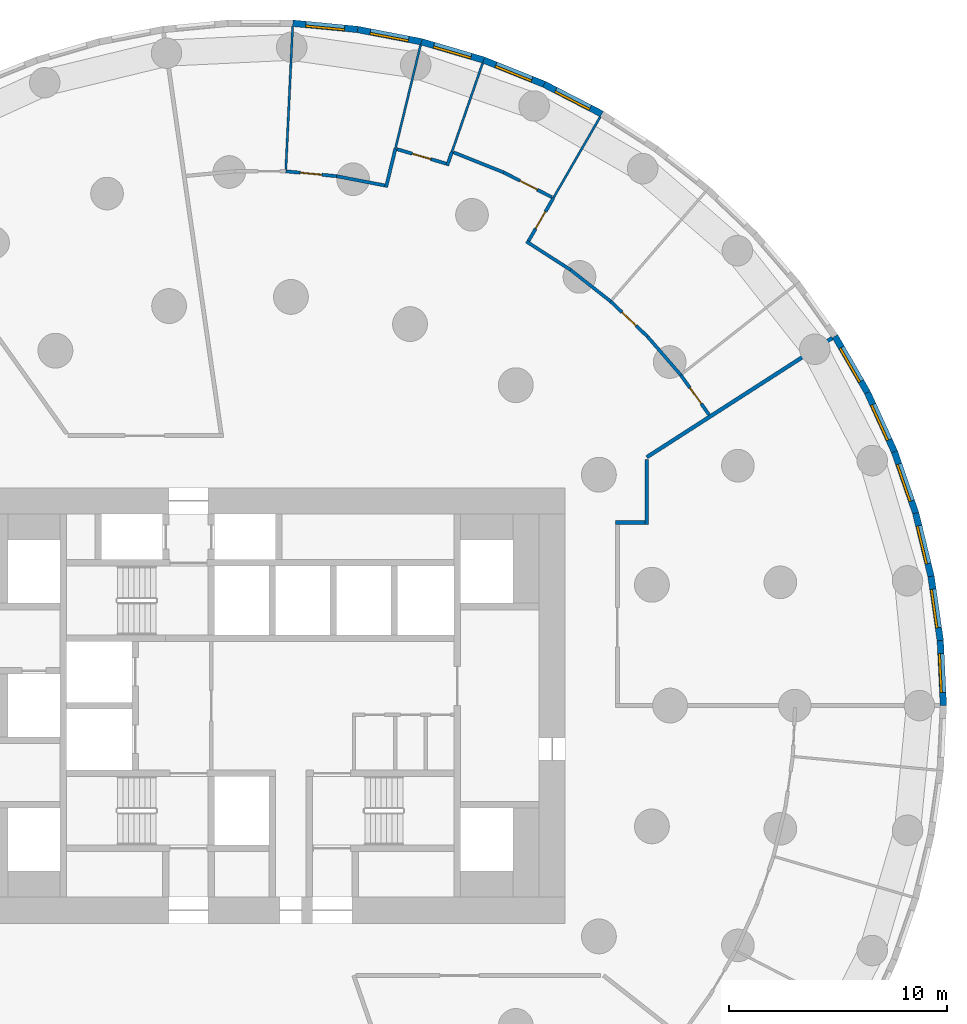
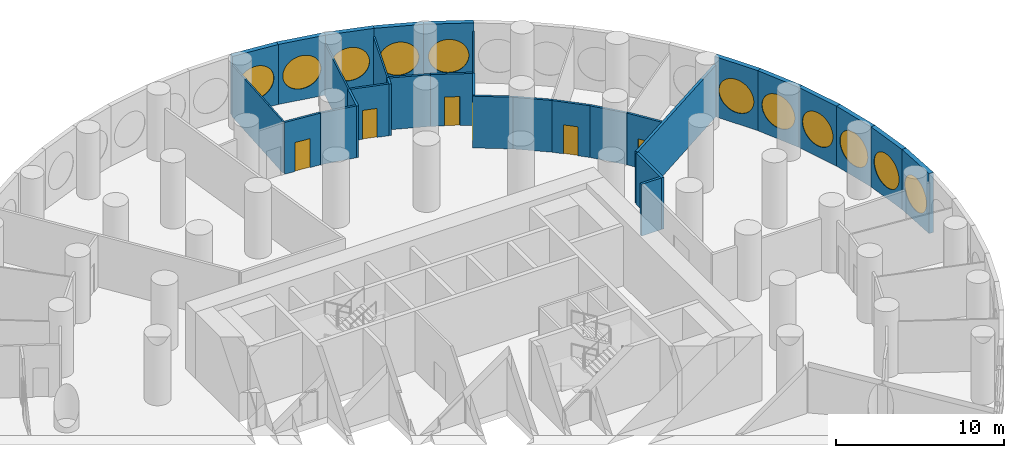
# One storey, part 8 of 11: 31 walls, 11 windows, 6 doors, 17 openings.
"""IFC4 building model written with IfcOpenShell, lengths in metres."""

from ifc_helpers import new_model, si_unit, direction, frame, frame_2d, origin, origin_2d, place, context, subcontext, project, spatial, rectangle, circle, extrude, material, layer, layer_set, type_object, element, fill, save


model = new_model("IFC4")

# Units and contexts
model_context = context("Model", 3, precision=1e-05, world=origin(), true_north=direction((0.0, 1.0)))
body_context = subcontext(model_context, "Body", "Model", "MODEL_VIEW")
ifc_project = project(units=[si_unit("LENGTHUNIT", "METRE"), si_unit("AREAUNIT", "SQUARE_METRE"), si_unit("VOLUMEUNIT", "CUBIC_METRE"), si_unit("PLANEANGLEUNIT", "RADIAN"), si_unit("MASSUNIT", "GRAM", prefix="KILO")], contexts=[model_context])

# Site, building, storey
site_placement = place(None, origin())
site = spatial("IfcSite", under=ifc_project, at=site_placement, CompositionType="ELEMENT")
building_placement = place(site_placement, origin())
building = spatial("IfcBuilding", under=site, at=building_placement, Name="Tracery Tower", CompositionType="ELEMENT")
storey_placement = place(building_placement, frame((0.0, 0.0, 9.0)))
storey = spatial("IfcBuildingStorey", under=building, at=storey_placement, Name="L01", CompositionType="ELEMENT", Elevation=9.0)

# Walls
ifc_material_1 = material(Name="Plasterboard on steel studs", Category="steel")
ifc_layer_1 = layer(ifc_material_1, 0.175048828125)
ifc_layer_set_1 = layer_set([ifc_layer_1], Name="Compartment partition 175")
wall_type_1 = type_object("IfcWallType", Name="Compartment partition 175", PredefinedType="PARTITIONING", material=ifc_layer_set_1)
wall_1_placement = place(storey_placement, frame((16.3125, 8.40283203125, 0.0), z_axis=(0.0, 0.0, 1.0), x_axis=(1.0, 0.0, 0.0)))
element("IfcWall", 1, at=wall_1_placement, inside=storey, type_object=wall_type_1, Name="Compartment partition 175", PredefinedType="PARTITIONING", context=body_context, shape_type="SweptSolid", body=[
    extrude(rectangle(XDim=1.3515625, YDim=0.175048828125, at=frame_2d((0.67578125, 0.0))), origin(), (0.0, 0.0, 1.0), 3.75),
])
wall_2_placement = place(storey_placement, frame((17.751708984375, 8.3154296875, 0.0), z_axis=(0.0, 0.0, 1.0), x_axis=(0.0, 1.0, 0.0)))
element("IfcWall", 2, at=wall_2_placement, inside=storey, type_object=wall_type_1, Name="Compartment partition 175", PredefinedType="PARTITIONING", context=body_context, shape_type="SweptSolid", body=[
    extrude(rectangle(XDim=2.98876953125, YDim=0.175048828125, at=frame_2d((1.494384765625, 0.0))), origin(), (0.0, 0.0, 1.0), 3.75),
])
wall_3_placement = place(storey_placement, frame((26.267578125, 16.881103515625, 0.0), z_axis=(0.0, 0.0, 1.0), x_axis=(-0.841249776377, -0.540646662568, 0.0)))
element("IfcWall", 3, at=wall_3_placement, inside=storey, type_object=wall_type_1, Name="Compartment partition 175", PredefinedType="PARTITIONING", context=body_context, shape_type="SweptSolid", body=[
    extrude(rectangle(XDim=10.122802734375, YDim=0.175048828125, at=frame_2d((5.0615234375, 0.0))), origin(), (0.0, 0.0, 1.0), 3.75),
])

# Wall, opening, door
ifc_material_2 = material(Name="Plasterboard on steel studs", Category="steel")
ifc_layer_2 = layer(ifc_material_2, 0.14990234375)
ifc_layer_set_2 = layer_set([ifc_layer_2], Name="Corridor partition 150")
wall_type_2 = type_object("IfcWallType", Name="Corridor partition 150", PredefinedType="PARTITIONING", material=ifc_layer_set_2)
wall_4_placement = place(storey_placement, frame((1.1689453125, 24.538818359375, 0.0), z_axis=(0.0, 0.0, 1.0), x_axis=(0.995473855736, -0.095035796131, 0.0)))
wall_4 = element("IfcWall", 4, at=wall_4_placement, inside=storey, type_object=wall_type_2, Name="Corridor partition 150", PredefinedType="PARTITIONING", context=body_context, shape_type="SweptSolid", body=[
    extrude(rectangle(XDim=2.337646484375, YDim=0.14990234375, at=frame_2d((1.1689453125, 0.0))), origin(), (0.0, 0.0, 1.0), 3.75),
])
opening_1_placement = place(wall_4_placement, frame((0.6689453125, 0.0, 0.0)))
opening_1 = element("IfcOpeningElement", 5, at=opening_1_placement, cuts=wall_4, Name="Opening SB-L01-07", PredefinedType="OPENING", context=body_context, shape_type="SweptSolid", body=[
    extrude(rectangle(XDim=1.0, YDim=2.10009765625, at=frame_2d((0.5, 1.050048828125))), frame((0.0, 0.074951171875, 0.0), z_axis=(0.0, -1.0, 0.0), x_axis=(1.0, 0.0, 0.0)), (0.0, 0.0, 1.0), 0.14990234375),
])
ifc_material_3 = material(Name="Timber door leaf", Category="wood")
door_type_1 = type_object("IfcDoorType", Name="Public room door 1000", OperationType="NOTDEFINED", PredefinedType="DOOR", material=ifc_material_3)
door_1_placement = place(opening_1_placement, origin())
door_1 = element("IfcDoor", 6, at=door_1_placement, inside=storey, type_object=door_type_1, Name="Public room door 1000", OperationType="SINGLE_SWING_RIGHT", OverallHeight=2.10009765625, OverallWidth=1.0, PredefinedType="DOOR", context=body_context, shape_type="SweptSolid", body=[
    extrude(rectangle(XDim=1.0, YDim=2.10009765625, at=frame_2d((0.5, 1.050048828125))), frame((0.0, 0.02490234375, 0.0), z_axis=(0.0, -1.0, 0.0), x_axis=(1.0, 0.0, 0.0)), (0.0, 0.0, 1.0), 0.050048828125),
])
fill(opening_1, door_1)

# Walls
wall_5_placement = place(storey_placement, frame((5.71826171875, 23.888427734375, 0.0), z_axis=(0.0, 0.0, 1.0), x_axis=(-0.981934043808, 0.18922350174, 0.0)))
element("IfcWall", 7, at=wall_5_placement, inside=storey, type_object=wall_type_2, Name="Corridor partition 150", PredefinedType="PARTITIONING", context=body_context, shape_type="SweptSolid", body=[
    extrude(rectangle(XDim=2.262939453125, YDim=0.14990234375, at=frame_2d((1.13134765625, 0.0))), origin(), (0.0, 0.0, 1.0), 3.75),
])
wall_6_placement = place(storey_placement, frame((6.204833984375, 25.576904296875, 0.0), z_axis=(0.0, 0.0, 1.0), x_axis=(-0.235707106262, -0.9718241405, 0.0)))
element("IfcWall", 8, at=wall_6_placement, inside=storey, type_object=wall_type_2, Name="Corridor partition 150", PredefinedType="PARTITIONING", context=body_context, shape_type="SweptSolid", body=[
    extrude(rectangle(XDim=1.8271484375, YDim=0.14990234375, at=frame_2d((0.91357421875, 0.0))), origin(), (0.0, 0.0, 1.0), 3.75),
])

# Wall, opening, door
wall_7_placement = place(storey_placement, frame((6.27685546875, 25.5556640625, 0.0), z_axis=(0.0, 0.0, 1.0), x_axis=(0.959490897596, -0.281739627015, 0.0)))
wall_7 = element("IfcWall", 9, at=wall_7_placement, inside=storey, type_object=wall_type_2, Name="Corridor partition 150", PredefinedType="PARTITIONING", context=body_context, shape_type="SweptSolid", body=[
    extrude(rectangle(XDim=2.3544921875, YDim=0.14990234375, at=frame_2d((1.17724609375, 0.0))), origin(), (0.0, 0.0, 1.0), 3.75),
])
opening_2_placement = place(wall_7_placement, frame((0.727294921875, 0.0, 0.0)))
opening_2 = element("IfcOpeningElement", 10, at=opening_2_placement, cuts=wall_7, Name="Opening SB-L01-06", PredefinedType="OPENING", context=body_context, shape_type="SweptSolid", body=[
    extrude(rectangle(XDim=0.89990234375, YDim=2.10009765625, at=frame_2d((0.449951171875, 1.050048828125))), frame((0.0, 0.074951171875, 0.0), z_axis=(0.0, -1.0, 0.0), x_axis=(1.0, 0.0, 0.0)), (0.0, 0.0, 1.0), 0.14990234375),
])
ifc_material_4 = material(Name="Steel fire door", Category="steel")
door_type_2 = type_object("IfcDoorType", Name="Store door 900", OperationType="NOTDEFINED", PredefinedType="DOOR", material=ifc_material_4)
door_2_placement = place(opening_2_placement, origin())
door_2 = element("IfcDoor", 11, at=door_2_placement, inside=storey, type_object=door_type_2, Name="Store door 900", OperationType="SINGLE_SWING_RIGHT", OverallHeight=2.10009765625, OverallWidth=0.89990234375, PredefinedType="DOOR", context=body_context, shape_type="SweptSolid", body=[
    extrude(rectangle(XDim=0.89990234375, YDim=2.10009765625, at=frame_2d((0.449951171875, 1.050048828125))), frame((0.0, 0.02490234375, 0.0), z_axis=(0.0, -1.0, 0.0), x_axis=(1.0, 0.0, 0.0)), (0.0, 0.0, 1.0), 0.050048828125),
])
fill(opening_2, door_2)

# Walls
wall_8_placement = place(storey_placement, frame((8.804443359375, 25.438720703125, 0.0), z_axis=(0.0, 0.0, 1.0), x_axis=(-0.327048503279, -0.945007553675, 0.0)))
element("IfcWall", 12, at=wall_8_placement, inside=storey, type_object=wall_type_2, Name="Corridor partition 150", PredefinedType="PARTITIONING", context=body_context, shape_type="SweptSolid", body=[
    extrude(rectangle(XDim=0.675537109375, YDim=0.14990234375, at=frame_2d((0.337890625, 0.0))), origin(), (0.0, 0.0, 1.0), 3.75),
])
wall_9_placement = place(storey_placement, frame((11.1826171875, 24.48681640625, 0.0), z_axis=(0.0, 0.0, 1.0), x_axis=(-0.928375081541, 0.371644599009, 0.0)))
element("IfcWall", 13, at=wall_9_placement, inside=storey, type_object=wall_type_2, Name="Corridor partition 150", PredefinedType="PARTITIONING", context=body_context, shape_type="SweptSolid", body=[
    extrude(rectangle(XDim=2.486328125, YDim=0.14990234375, at=frame_2d((1.2431640625, 0.0))), origin(), (0.0, 0.0, 1.0), 3.75),
])

# Wall, opening, door
wall_10_placement = place(storey_placement, frame((11.1826171875, 24.48681640625, 0.0), z_axis=(0.0, 0.0, 1.0), x_axis=(0.888861893738, -0.458175221789, 0.0)))
wall_10 = element("IfcWall", 14, at=wall_10_placement, inside=storey, type_object=wall_type_2, Name="Corridor partition 150", PredefinedType="PARTITIONING", context=body_context, shape_type="SweptSolid", body=[
    extrude(rectangle(XDim=2.48681640625, YDim=0.14990234375, at=frame_2d((1.243408203125, 0.0))), origin(), (0.0, 0.0, 1.0), 3.75),
])
opening_3_placement = place(wall_10_placement, frame((0.830810546875, 0.0, 0.0)))
opening_3 = element("IfcOpeningElement", 15, at=opening_3_placement, cuts=wall_10, Name="Opening SB-L01-05", PredefinedType="OPENING", context=body_context, shape_type="SweptSolid", body=[
    extrude(rectangle(XDim=0.89990234375, YDim=2.10009765625, at=frame_2d((0.449951171875, 1.050048828125))), frame((0.0, 0.074951171875, 0.0), z_axis=(0.0, -1.0, 0.0), x_axis=(1.0, 0.0, 0.0)), (0.0, 0.0, 1.0), 0.14990234375),
])
ifc_material_5 = material(Name="Timber door leaf", Category="wood")
door_type_3 = type_object("IfcDoorType", Name="Room door 900", OperationType="NOTDEFINED", PredefinedType="DOOR", material=ifc_material_5)
door_3_placement = place(opening_3_placement, origin())
door_3 = element("IfcDoor", 16, at=door_3_placement, inside=storey, type_object=door_type_3, Name="Room door 900", OperationType="SINGLE_SWING_RIGHT", OverallHeight=2.10009765625, OverallWidth=0.89990234375, PredefinedType="DOOR", context=body_context, shape_type="SweptSolid", body=[
    extrude(rectangle(XDim=0.89990234375, YDim=2.10009765625, at=frame_2d((0.449951171875, 1.050048828125))), frame((0.0, 0.02490234375, 0.0), z_axis=(0.0, -1.0, 0.0), x_axis=(1.0, 0.0, 0.0)), (0.0, 0.0, 1.0), 0.050048828125),
])
fill(opening_3, door_3)

wall_11_placement = place(storey_placement, frame((13.459716796875, 23.31298828125, 0.0), z_axis=(0.0, 0.0, 1.0), x_axis=(-0.500000789788, -0.8660249478, 0.0)))
wall_11 = element("IfcWall", 17, at=wall_11_placement, inside=storey, type_object=wall_type_2, Name="Corridor partition 150", PredefinedType="PARTITIONING", context=body_context, shape_type="SweptSolid", body=[
    extrude(rectangle(XDim=2.27783203125, YDim=0.14990234375, at=frame_2d((1.138916015625, 0.0))), origin(), (0.0, 0.0, 1.0), 3.75),
])
opening_4_placement = place(wall_11_placement, frame((0.726318359375, 0.0, 0.0)))
opening_4 = element("IfcOpeningElement", 18, at=opening_4_placement, cuts=wall_11, Name="Opening SB-L01-04", PredefinedType="OPENING", context=body_context, shape_type="SweptSolid", body=[
    extrude(rectangle(XDim=0.89990234375, YDim=2.10009765625, at=frame_2d((0.449951171875, 1.050048828125))), frame((0.0, 0.074951171875, 0.0), z_axis=(0.0, -1.0, 0.0), x_axis=(1.0, 0.0, 0.0)), (0.0, 0.0, 1.0), 0.14990234375),
])
door_4_placement = place(opening_4_placement, origin())
door_4 = element("IfcDoor", 19, at=door_4_placement, inside=storey, type_object=door_type_3, Name="Room door 900", OperationType="SINGLE_SWING_LEFT", OverallHeight=2.10009765625, OverallWidth=0.89990234375, PredefinedType="DOOR", context=body_context, shape_type="SweptSolid", body=[
    extrude(rectangle(XDim=0.89990234375, YDim=2.10009765625, at=frame_2d((0.449951171875, 1.050048828125))), frame((0.0, 0.02490234375, 0.0), z_axis=(0.0, -1.0, 0.0), x_axis=(1.0, 0.0, 0.0)), (0.0, 0.0, 1.0), 0.050048828125),
])
fill(opening_4, door_4)

# Walls
wall_12_placement = place(storey_placement, frame((14.25, 20.011474609375, 0.0), z_axis=(0.0, 0.0, 1.0), x_axis=(-0.8412573693, 0.540634847747, 0.0)))
element("IfcWall", 20, at=wall_12_placement, inside=storey, type_object=wall_type_2, Name="Corridor partition 150", PredefinedType="PARTITIONING", context=body_context, shape_type="SweptSolid", body=[
    extrude(rectangle(XDim=2.412841796875, YDim=0.14990234375, at=frame_2d((1.20654296875, 0.0))), origin(), (0.0, 0.0, 1.0), 3.75),
])
wall_13_placement = place(storey_placement, frame((16.087890625, 18.56640625, 0.0), z_axis=(0.0, 0.0, 1.0), x_axis=(-0.786108126536, 0.618089001191, 0.0)))
element("IfcWall", 21, at=wall_13_placement, inside=storey, type_object=wall_type_2, Name="Corridor partition 150", PredefinedType="PARTITIONING", context=body_context, shape_type="SweptSolid", body=[
    extrude(rectangle(XDim=2.337890625, YDim=0.14990234375, at=frame_2d((1.1689453125, 0.0))), origin(), (0.0, 0.0, 1.0), 3.75),
])

# Wall, opening, door
wall_14_placement = place(storey_placement, frame((16.087890625, 18.56640625, 0.0), z_axis=(0.0, 0.0, 1.0), x_axis=(0.723668407542, -0.690147836283, 0.0)))
wall_14 = element("IfcWall", 22, at=wall_14_placement, inside=storey, type_object=wall_type_2, Name="Corridor partition 150", PredefinedType="PARTITIONING", context=body_context, shape_type="SweptSolid", body=[
    extrude(rectangle(XDim=2.337890625, YDim=0.14990234375, at=frame_2d((1.1689453125, 0.0))), origin(), (0.0, 0.0, 1.0), 3.75),
])
opening_5_placement = place(wall_14_placement, frame((0.718994140625, 0.0, 0.0)))
opening_5 = element("IfcOpeningElement", 23, at=opening_5_placement, cuts=wall_14, Name="Opening SB-L01-03", PredefinedType="OPENING", context=body_context, shape_type="SweptSolid", body=[
    extrude(rectangle(XDim=0.89990234375, YDim=2.10009765625, at=frame_2d((0.449951171875, 1.050048828125))), frame((0.0, 0.074951171875, 0.0), z_axis=(0.0, -1.0, 0.0), x_axis=(1.0, 0.0, 0.0)), (0.0, 0.0, 1.0), 0.14990234375),
])
door_5_placement = place(opening_5_placement, origin())
door_5 = element("IfcDoor", 24, at=door_5_placement, inside=storey, type_object=door_type_3, Name="Room door 900", OperationType="SINGLE_SWING_RIGHT", OverallHeight=2.10009765625, OverallWidth=0.89990234375, PredefinedType="DOOR", context=body_context, shape_type="SweptSolid", body=[
    extrude(rectangle(XDim=0.89990234375, YDim=2.10009765625, at=frame_2d((0.449951171875, 1.050048828125))), frame((0.0, 0.02490234375, 0.0), z_axis=(0.0, -1.0, 0.0), x_axis=(1.0, 0.0, 0.0)), (0.0, 0.0, 1.0), 0.050048828125),
])
fill(opening_5, door_5)

# Wall
wall_15_placement = place(storey_placement, frame((19.310791015625, 15.18603515625, 0.0), z_axis=(0.0, 0.0, 1.0), x_axis=(-0.654866925236, 0.755744209526, 0.0)))
element("IfcWall", 25, at=wall_15_placement, inside=storey, type_object=wall_type_2, Name="Corridor partition 150", PredefinedType="PARTITIONING", context=body_context, shape_type="SweptSolid", body=[
    extrude(rectangle(XDim=2.337890625, YDim=0.14990234375, at=frame_2d((1.1689453125, 0.0))), origin(), (0.0, 0.0, 1.0), 3.75),
])

# Wall, opening, door
wall_16_placement = place(storey_placement, frame((19.310791015625, 15.18603515625, 0.0), z_axis=(0.0, 0.0, 1.0), x_axis=(0.580046101142, -0.81458364859, 0.0)))
wall_16 = element("IfcWall", 26, at=wall_16_placement, inside=storey, type_object=wall_type_2, Name="Corridor partition 150", PredefinedType="PARTITIONING", context=body_context, shape_type="SweptSolid", body=[
    extrude(rectangle(XDim=2.24853515625, YDim=0.14990234375, at=frame_2d((1.124267578125, 0.0))), origin(), (0.0, 0.0, 1.0), 3.75),
])
opening_6_placement = place(wall_16_placement, frame((0.718994140625, 0.0, 0.0)))
opening_6 = element("IfcOpeningElement", 27, at=opening_6_placement, cuts=wall_16, Name="Opening SB-L01-02", PredefinedType="OPENING", context=body_context, shape_type="SweptSolid", body=[
    extrude(rectangle(XDim=0.89990234375, YDim=2.10009765625, at=frame_2d((0.449951171875, 1.050048828125))), frame((0.0, 0.074951171875, 0.0), z_axis=(0.0, -1.0, 0.0), x_axis=(1.0, 0.0, 0.0)), (0.0, 0.0, 1.0), 0.14990234375),
])
door_6_placement = place(opening_6_placement, origin())
door_6 = element("IfcDoor", 28, at=door_6_placement, inside=storey, type_object=door_type_3, Name="Room door 900", OperationType="SINGLE_SWING_RIGHT", OverallHeight=2.10009765625, OverallWidth=0.89990234375, PredefinedType="DOOR", context=body_context, shape_type="SweptSolid", body=[
    extrude(rectangle(XDim=0.89990234375, YDim=2.10009765625, at=frame_2d((0.449951171875, 1.050048828125))), frame((0.0, 0.02490234375, 0.0), z_axis=(0.0, -1.0, 0.0), x_axis=(1.0, 0.0, 0.0)), (0.0, 0.0, 1.0), 0.050048828125),
])
fill(opening_6, door_6)

# Wall, opening, window
ifc_material_6 = material(Name="Precast concrete C50/60", Category="concrete")
ifc_layer_3 = layer(ifc_material_6, 0.300048828125)
ifc_layer_set_3 = layer_set([ifc_layer_3], Name="Facade panel 3000 x 4350")
wall_type_3 = type_object("IfcWallType", Name="Facade panel 3000 x 4350", PredefinedType="SOLIDWALL", material=ifc_layer_set_3)
wall_17_placement = place(storey_placement, frame((31.37451171875, 0.0, 0.0), z_axis=(0.0, 0.0, 1.0), x_axis=(-0.047588458579, 0.998867027492, 0.0)))
wall_17 = element("IfcWall", 29, at=wall_17_placement, inside=storey, type_object=wall_type_3, Name="Facade panel 1 at L01", PredefinedType="SOLIDWALL", context=body_context, shape_type="SweptSolid", body=[
    extrude(rectangle(XDim=2.98583984375, YDim=0.300048828125, at=frame_2d((1.492919921875, 0.0))), origin(), (0.0, 0.0, 1.0), 4.35009765625),
])
opening_7_placement = place(wall_17_placement, frame((1.492919921875, 0.0, 2.0)))
opening_7 = element("IfcOpeningElement", 30, at=opening_7_placement, cuts=wall_17, Name="Opening WN2", PredefinedType="OPENING", context=body_context, shape_type="SweptSolid", body=[
    extrude(circle(Radius=1.199951171875, at=origin_2d()), frame((0.0, 0.159912109375, 0.0), z_axis=(0.0, -1.0, 0.0), x_axis=(1.0, 0.0, 0.0)), (0.0, 0.0, 1.0), 0.320068359375),
])
ifc_material_7 = material(Name="Aluminium frame with tinted double glazing", Category="aluminium")
window_type = type_object("IfcWindowType", Name="Round window 2400", PartitioningType="SINGLE_PANEL", PredefinedType="WINDOW", material=ifc_material_7)
window_1_placement = place(opening_7_placement, origin())
window_1 = element("IfcWindow", 31, at=window_1_placement, inside=storey, type_object=window_type, Name="Round window 1 at L01", OverallHeight=2.39990234375, OverallWidth=2.39990234375, PartitioningType="SINGLE_PANEL", PredefinedType="WINDOW", context=body_context, shape_type="SweptSolid", body=[
    extrude(circle(Radius=1.199951171875, at=origin_2d()), frame((0.0, 0.1201171875, 0.0), z_axis=(0.0, -1.0, 0.0), x_axis=(1.0, 0.0, 0.0)), (0.0, 0.0, 1.0), 0.10009765625),
])
fill(opening_7, window_1)

wall_18_placement = place(storey_placement, frame((31.232421875, 2.982421875, 0.0), z_axis=(0.0, 0.0, 1.0), x_axis=(-0.142360001917, 0.989814947278, 0.0)))
wall_18 = element("IfcWall", 32, at=wall_18_placement, inside=storey, type_object=wall_type_3, Name="Facade panel 2 at L01", PredefinedType="SOLIDWALL", context=body_context, shape_type="SweptSolid", body=[
    extrude(rectangle(XDim=2.98583984375, YDim=0.300048828125, at=frame_2d((1.492919921875, 0.0))), origin(), (0.0, 0.0, 1.0), 4.35009765625),
])
opening_8_placement = place(wall_18_placement, frame((1.492919921875, 0.0, 2.0)))
opening_8 = element("IfcOpeningElement", 33, at=opening_8_placement, cuts=wall_18, Name="Opening WN2", PredefinedType="OPENING", context=body_context, shape_type="SweptSolid", body=[
    extrude(circle(Radius=1.199951171875, at=origin_2d()), frame((0.0, 0.159912109375, 0.0), z_axis=(0.0, -1.0, 0.0), x_axis=(1.0, 0.0, 0.0)), (0.0, 0.0, 1.0), 0.320068359375),
])
window_2_placement = place(opening_8_placement, origin())
window_2 = element("IfcWindow", 34, at=window_2_placement, inside=storey, type_object=window_type, Name="Round window 2 at L01", OverallHeight=2.39990234375, OverallWidth=2.39990234375, PartitioningType="SINGLE_PANEL", PredefinedType="WINDOW", context=body_context, shape_type="SweptSolid", body=[
    extrude(circle(Radius=1.199951171875, at=origin_2d()), frame((0.0, 0.1201171875, 0.0), z_axis=(0.0, -1.0, 0.0), x_axis=(1.0, 0.0, 0.0)), (0.0, 0.0, 1.0), 0.10009765625),
])
fill(opening_8, window_2)

wall_19_placement = place(storey_placement, frame((30.807373046875, 5.937744140625, 0.0), z_axis=(0.0, 0.0, 1.0), x_axis=(-0.235756834479, 0.971812078026, 0.0)))
wall_19 = element("IfcWall", 35, at=wall_19_placement, inside=storey, type_object=wall_type_3, Name="Facade panel 3 at L01", PredefinedType="SOLIDWALL", context=body_context, shape_type="SweptSolid", body=[
    extrude(rectangle(XDim=2.985595703125, YDim=0.300048828125, at=frame_2d((1.49267578125, 0.0))), origin(), (0.0, 0.0, 1.0), 4.35009765625),
])
opening_9_placement = place(wall_19_placement, frame((1.492919921875, 0.0, 2.0)))
opening_9 = element("IfcOpeningElement", 36, at=opening_9_placement, cuts=wall_19, Name="Opening WN2", PredefinedType="OPENING", context=body_context, shape_type="SweptSolid", body=[
    extrude(circle(Radius=1.199951171875, at=origin_2d()), frame((0.0, 0.159912109375, 0.0), z_axis=(0.0, -1.0, 0.0), x_axis=(1.0, 0.0, 0.0)), (0.0, 0.0, 1.0), 0.320068359375),
])
window_3_placement = place(opening_9_placement, origin())
window_3 = element("IfcWindow", 37, at=window_3_placement, inside=storey, type_object=window_type, Name="Round window 3 at L01", OverallHeight=2.39990234375, OverallWidth=2.39990234375, PartitioningType="SINGLE_PANEL", PredefinedType="WINDOW", context=body_context, shape_type="SweptSolid", body=[
    extrude(circle(Radius=1.199951171875, at=origin_2d()), frame((0.0, 0.1201171875, 0.0), z_axis=(0.0, -1.0, 0.0), x_axis=(1.0, 0.0, 0.0)), (0.0, 0.0, 1.0), 0.10009765625),
])
fill(opening_9, window_3)

wall_20_placement = place(storey_placement, frame((30.103515625, 8.839111328125, 0.0), z_axis=(0.0, 0.0, 1.0), x_axis=(-0.327074054052, 0.944998710669, 0.0)))
wall_20 = element("IfcWall", 38, at=wall_20_placement, inside=storey, type_object=wall_type_3, Name="Facade panel 4 at L01", PredefinedType="SOLIDWALL", context=body_context, shape_type="SweptSolid", body=[
    extrude(rectangle(XDim=2.98583984375, YDim=0.300048828125, at=frame_2d((1.492919921875, 0.0))), origin(), (0.0, 0.0, 1.0), 4.35009765625),
])
opening_10_placement = place(wall_20_placement, frame((1.492919921875, 0.0, 2.0)))
opening_10 = element("IfcOpeningElement", 39, at=opening_10_placement, cuts=wall_20, Name="Opening WN2", PredefinedType="OPENING", context=body_context, shape_type="SweptSolid", body=[
    extrude(circle(Radius=1.199951171875, at=origin_2d()), frame((0.0, 0.159912109375, 0.0), z_axis=(0.0, -1.0, 0.0), x_axis=(1.0, 0.0, 0.0)), (0.0, 0.0, 1.0), 0.320068359375),
])
window_4_placement = place(opening_10_placement, origin())
window_4 = element("IfcWindow", 40, at=window_4_placement, inside=storey, type_object=window_type, Name="Round window 4 at L01", OverallHeight=2.39990234375, OverallWidth=2.39990234375, PartitioningType="SINGLE_PANEL", PredefinedType="WINDOW", context=body_context, shape_type="SweptSolid", body=[
    extrude(circle(Radius=1.199951171875, at=origin_2d()), frame((0.0, 0.1201171875, 0.0), z_axis=(0.0, -1.0, 0.0), x_axis=(1.0, 0.0, 0.0)), (0.0, 0.0, 1.0), 0.10009765625),
])
fill(opening_10, window_4)

wall_21_placement = place(storey_placement, frame((29.126953125, 11.66064453125, 0.0), z_axis=(0.0, 0.0, 1.0), x_axis=(-0.415373250944, 0.909651066289, 0.0)))
wall_21 = element("IfcWall", 41, at=wall_21_placement, inside=storey, type_object=wall_type_3, Name="Facade panel 5 at L01", PredefinedType="SOLIDWALL", context=body_context, shape_type="SweptSolid", body=[
    extrude(rectangle(XDim=2.98583984375, YDim=0.300048828125, at=frame_2d((1.492919921875, 0.0))), origin(), (0.0, 0.0, 1.0), 4.35009765625),
])
opening_11_placement = place(wall_21_placement, frame((1.492919921875, 0.0, 2.0)))
opening_11 = element("IfcOpeningElement", 42, at=opening_11_placement, cuts=wall_21, Name="Opening WN2", PredefinedType="OPENING", context=body_context, shape_type="SweptSolid", body=[
    extrude(circle(Radius=1.199951171875, at=origin_2d()), frame((0.0, 0.159912109375, 0.0), z_axis=(0.0, -1.0, 0.0), x_axis=(1.0, 0.0, 0.0)), (0.0, 0.0, 1.0), 0.320068359375),
])
window_5_placement = place(opening_11_placement, origin())
window_5 = element("IfcWindow", 43, at=window_5_placement, inside=storey, type_object=window_type, Name="Round window 5 at L01", OverallHeight=2.39990234375, OverallWidth=2.39990234375, PartitioningType="SINGLE_PANEL", PredefinedType="WINDOW", context=body_context, shape_type="SweptSolid", body=[
    extrude(circle(Radius=1.199951171875, at=origin_2d()), frame((0.0, 0.1201171875, 0.0), z_axis=(0.0, -1.0, 0.0), x_axis=(1.0, 0.0, 0.0)), (0.0, 0.0, 1.0), 0.10009765625),
])
fill(opening_11, window_5)

wall_22_placement = place(storey_placement, frame((27.88671875, 14.376708984375, 0.0), z_axis=(0.0, 0.0, 1.0), x_axis=(-0.500017373705, 0.866015372839, 0.0)))
wall_22 = element("IfcWall", 44, at=wall_22_placement, inside=storey, type_object=wall_type_3, Name="Facade panel 6 at L01", PredefinedType="SOLIDWALL", context=body_context, shape_type="SweptSolid", body=[
    extrude(rectangle(XDim=2.98583984375, YDim=0.300048828125, at=frame_2d((1.492919921875, 0.0))), origin(), (0.0, 0.0, 1.0), 4.35009765625),
])
opening_12_placement = place(wall_22_placement, frame((1.492919921875, 0.0, 2.0)))
opening_12 = element("IfcOpeningElement", 45, at=opening_12_placement, cuts=wall_22, Name="Opening WN2", PredefinedType="OPENING", context=body_context, shape_type="SweptSolid", body=[
    extrude(circle(Radius=1.199951171875, at=origin_2d()), frame((0.0, 0.159912109375, 0.0), z_axis=(0.0, -1.0, 0.0), x_axis=(1.0, 0.0, 0.0)), (0.0, 0.0, 1.0), 0.320068359375),
])
window_6_placement = place(opening_12_placement, origin())
window_6 = element("IfcWindow", 46, at=window_6_placement, inside=storey, type_object=window_type, Name="Round window 6 at L01", OverallHeight=2.39990234375, OverallWidth=2.39990234375, PartitioningType="SINGLE_PANEL", PredefinedType="WINDOW", context=body_context, shape_type="SweptSolid", body=[
    extrude(circle(Radius=1.199951171875, at=origin_2d()), frame((0.0, 0.1201171875, 0.0), z_axis=(0.0, -1.0, 0.0), x_axis=(1.0, 0.0, 0.0)), (0.0, 0.0, 1.0), 0.10009765625),
])
fill(opening_12, window_6)

wall_23_placement = place(storey_placement, frame((15.687255859375, 27.171142578125, 0.0), z_axis=(0.0, 0.0, 1.0), x_axis=(-0.888831268481, 0.458234630043, 0.0)))
wall_23 = element("IfcWall", 47, at=wall_23_placement, inside=storey, type_object=wall_type_3, Name="Facade panel 12 at L01", PredefinedType="SOLIDWALL", context=body_context, shape_type="SweptSolid", body=[
    extrude(rectangle(XDim=2.98583984375, YDim=0.300048828125, at=frame_2d((1.492919921875, 0.0))), origin(), (0.0, 0.0, 1.0), 4.35009765625),
])
opening_13_placement = place(wall_23_placement, frame((1.492919921875, 0.0, 2.0)))
opening_13 = element("IfcOpeningElement", 48, at=opening_13_placement, cuts=wall_23, Name="Opening WN2", PredefinedType="OPENING", context=body_context, shape_type="SweptSolid", body=[
    extrude(circle(Radius=1.199951171875, at=origin_2d()), frame((0.0, 0.159912109375, 0.0), z_axis=(0.0, -1.0, 0.0), x_axis=(1.0, 0.0, 0.0)), (0.0, 0.0, 1.0), 0.320068359375),
])
window_7_placement = place(opening_13_placement, origin())
window_7 = element("IfcWindow", 49, at=window_7_placement, inside=storey, type_object=window_type, Name="Round window 12 at L01", OverallHeight=2.39990234375, OverallWidth=2.39990234375, PartitioningType="SINGLE_PANEL", PredefinedType="WINDOW", context=body_context, shape_type="SweptSolid", body=[
    extrude(circle(Radius=1.199951171875, at=origin_2d()), frame((0.0, 0.1201171875, 0.0), z_axis=(0.0, -1.0, 0.0), x_axis=(1.0, 0.0, 0.0)), (0.0, 0.0, 1.0), 0.10009765625),
])
fill(opening_13, window_7)

wall_24_placement = place(storey_placement, frame((13.033447265625, 28.539306640625, 0.0), z_axis=(0.0, 0.0, 1.0), x_axis=(-0.928380795373, 0.371630325434, 0.0)))
wall_24 = element("IfcWall", 50, at=wall_24_placement, inside=storey, type_object=wall_type_3, Name="Facade panel 13 at L01", PredefinedType="SOLIDWALL", context=body_context, shape_type="SweptSolid", body=[
    extrude(rectangle(XDim=2.98583984375, YDim=0.300048828125, at=frame_2d((1.492919921875, 0.0))), origin(), (0.0, 0.0, 1.0), 4.35009765625),
])
opening_14_placement = place(wall_24_placement, frame((1.492919921875, 0.0, 2.0)))
opening_14 = element("IfcOpeningElement", 51, at=opening_14_placement, cuts=wall_24, Name="Opening WN2", PredefinedType="OPENING", context=body_context, shape_type="SweptSolid", body=[
    extrude(circle(Radius=1.199951171875, at=origin_2d()), frame((0.0, 0.159912109375, 0.0), z_axis=(0.0, -1.0, 0.0), x_axis=(1.0, 0.0, 0.0)), (0.0, 0.0, 1.0), 0.320068359375),
])
window_8_placement = place(opening_14_placement, origin())
window_8 = element("IfcWindow", 52, at=window_8_placement, inside=storey, type_object=window_type, Name="Round window 13 at L01", OverallHeight=2.39990234375, OverallWidth=2.39990234375, PartitioningType="SINGLE_PANEL", PredefinedType="WINDOW", context=body_context, shape_type="SweptSolid", body=[
    extrude(circle(Radius=1.199951171875, at=origin_2d()), frame((0.0, 0.1201171875, 0.0), z_axis=(0.0, -1.0, 0.0), x_axis=(1.0, 0.0, 0.0)), (0.0, 0.0, 1.0), 0.10009765625),
])
fill(opening_14, window_8)

wall_25_placement = place(storey_placement, frame((10.261474609375, 29.64892578125, 0.0), z_axis=(0.0, 0.0, 1.0), x_axis=(-0.959502108153, 0.281701445593, 0.0)))
wall_25 = element("IfcWall", 53, at=wall_25_placement, inside=storey, type_object=wall_type_3, Name="Facade panel 14 at L01", PredefinedType="SOLIDWALL", context=body_context, shape_type="SweptSolid", body=[
    extrude(rectangle(XDim=2.985595703125, YDim=0.300048828125, at=frame_2d((1.49267578125, 0.0))), origin(), (0.0, 0.0, 1.0), 4.35009765625),
])
opening_15_placement = place(wall_25_placement, frame((1.492919921875, 0.0, 2.0)))
opening_15 = element("IfcOpeningElement", 54, at=opening_15_placement, cuts=wall_25, Name="Opening WN2", PredefinedType="OPENING", context=body_context, shape_type="SweptSolid", body=[
    extrude(circle(Radius=1.199951171875, at=origin_2d()), frame((0.0, 0.159912109375, 0.0), z_axis=(0.0, -1.0, 0.0), x_axis=(1.0, 0.0, 0.0)), (0.0, 0.0, 1.0), 0.320068359375),
])
window_9_placement = place(opening_15_placement, origin())
window_9 = element("IfcWindow", 55, at=window_9_placement, inside=storey, type_object=window_type, Name="Round window 14 at L01", OverallHeight=2.39990234375, OverallWidth=2.39990234375, PartitioningType="SINGLE_PANEL", PredefinedType="WINDOW", context=body_context, shape_type="SweptSolid", body=[
    extrude(circle(Radius=1.199951171875, at=origin_2d()), frame((0.0, 0.1201171875, 0.0), z_axis=(0.0, -1.0, 0.0), x_axis=(1.0, 0.0, 0.0)), (0.0, 0.0, 1.0), 0.10009765625),
])
fill(opening_15, window_9)

wall_26_placement = place(storey_placement, frame((7.396728515625, 30.489990234375, 0.0), z_axis=(0.0, 0.0, 1.0), x_axis=(-0.981918853666, 0.189302310646, 0.0)))
wall_26 = element("IfcWall", 56, at=wall_26_placement, inside=storey, type_object=wall_type_3, Name="Facade panel 15 at L01", PredefinedType="SOLIDWALL", context=body_context, shape_type="SweptSolid", body=[
    extrude(rectangle(XDim=2.985595703125, YDim=0.300048828125, at=frame_2d((1.49267578125, 0.0))), origin(), (0.0, 0.0, 1.0), 4.35009765625),
])
opening_16_placement = place(wall_26_placement, frame((1.492919921875, 0.0, 2.0)))
opening_16 = element("IfcOpeningElement", 57, at=opening_16_placement, cuts=wall_26, Name="Opening WN2", PredefinedType="OPENING", context=body_context, shape_type="SweptSolid", body=[
    extrude(circle(Radius=1.199951171875, at=origin_2d()), frame((0.0, 0.159912109375, 0.0), z_axis=(0.0, -1.0, 0.0), x_axis=(1.0, 0.0, 0.0)), (0.0, 0.0, 1.0), 0.320068359375),
])
window_10_placement = place(opening_16_placement, origin())
window_10 = element("IfcWindow", 58, at=window_10_placement, inside=storey, type_object=window_type, Name="Round window 15 at L01", OverallHeight=2.39990234375, OverallWidth=2.39990234375, PartitioningType="SINGLE_PANEL", PredefinedType="WINDOW", context=body_context, shape_type="SweptSolid", body=[
    extrude(circle(Radius=1.199951171875, at=origin_2d()), frame((0.0, 0.1201171875, 0.0), z_axis=(0.0, -1.0, 0.0), x_axis=(1.0, 0.0, 0.0)), (0.0, 0.0, 1.0), 0.10009765625),
])
fill(opening_16, window_10)

wall_27_placement = place(storey_placement, frame((4.465087890625, 31.05517578125, 0.0), z_axis=(0.0, 0.0, 1.0), x_axis=(-0.99547560533, 0.095017467833, 0.0)))
wall_27 = element("IfcWall", 59, at=wall_27_placement, inside=storey, type_object=wall_type_3, Name="Facade panel 16 at L01", PredefinedType="SOLIDWALL", context=body_context, shape_type="SweptSolid", body=[
    extrude(rectangle(XDim=2.985595703125, YDim=0.300048828125, at=frame_2d((1.49267578125, 0.0))), origin(), (0.0, 0.0, 1.0), 4.35009765625),
])
opening_17_placement = place(wall_27_placement, frame((1.492919921875, 0.0, 2.0)))
opening_17 = element("IfcOpeningElement", 60, at=opening_17_placement, cuts=wall_27, Name="Opening WN2", PredefinedType="OPENING", context=body_context, shape_type="SweptSolid", body=[
    extrude(circle(Radius=1.199951171875, at=origin_2d()), frame((0.0, 0.159912109375, 0.0), z_axis=(0.0, -1.0, 0.0), x_axis=(1.0, 0.0, 0.0)), (0.0, 0.0, 1.0), 0.320068359375),
])
window_11_placement = place(opening_17_placement, origin())
window_11 = element("IfcWindow", 61, at=window_11_placement, inside=storey, type_object=window_type, Name="Round window 16 at L01", OverallHeight=2.39990234375, OverallWidth=2.39990234375, PartitioningType="SINGLE_PANEL", PredefinedType="WINDOW", context=body_context, shape_type="SweptSolid", body=[
    extrude(circle(Radius=1.199951171875, at=origin_2d()), frame((0.0, 0.1201171875, 0.0), z_axis=(0.0, -1.0, 0.0), x_axis=(1.0, 0.0, 0.0)), (0.0, 0.0, 1.0), 0.10009765625),
])
fill(opening_17, window_11)

# Walls
ifc_material_8 = material(Name="Plasterboard on steel studs", Category="steel")
ifc_layer_4 = layer(ifc_material_8, 0.10009765625)
ifc_layer_set_4 = layer_set([ifc_layer_4], Name="Stud partition 100")
wall_type_4 = type_object("IfcWallType", Name="Stud partition 100", PredefinedType="PARTITIONING", material=ifc_layer_set_4)
wall_28_placement = place(storey_placement, frame((1.485595703125, 31.18896484375, 0.0), z_axis=(0.0, 0.0, 1.0), x_axis=(-0.047549289688, -0.998868892823, 0.0)))
element("IfcWall", 62, at=wall_28_placement, inside=storey, type_object=wall_type_4, Name="Stud partition 100", PredefinedType="PARTITIONING", context=body_context, shape_type="SweptSolid", body=[
    extrude(rectangle(XDim=6.582275390625, YDim=0.10009765625, at=frame_2d((3.291015625, 0.0))), origin(), (0.0, 0.0, 1.0), 3.75),
])
wall_29_placement = place(storey_placement, frame((7.361328125, 30.343994140625, 0.0), z_axis=(0.0, 0.0, 1.0), x_axis=(-0.235760987456, -0.971811070524, 0.0)))
element("IfcWall", 63, at=wall_29_placement, inside=storey, type_object=wall_type_4, Name="Stud partition 100", PredefinedType="PARTITIONING", context=body_context, shape_type="SweptSolid", body=[
    extrude(rectangle(XDim=4.9052734375, YDim=0.10009765625, at=frame_2d((2.45263671875, 0.0))), origin(), (0.0, 0.0, 1.0), 3.75),
])
wall_30_placement = place(storey_placement, frame((10.21240234375, 29.507080078125, 0.0), z_axis=(0.0, 0.0, 1.0), x_axis=(-0.327044339436, -0.945008994689, 0.0)))
element("IfcWall", 64, at=wall_30_placement, inside=storey, type_object=wall_type_4, Name="Stud partition 100", PredefinedType="PARTITIONING", context=body_context, shape_type="SweptSolid", body=[
    extrude(rectangle(XDim=4.30517578125, YDim=0.10009765625, at=frame_2d((2.152587890625, 0.0))), origin(), (0.0, 0.0, 1.0), 3.75),
])
wall_31_placement = place(storey_placement, frame((15.612060546875, 27.041015625, 0.0), z_axis=(0.0, 0.0, 1.0), x_axis=(-0.499994104079, -0.866028807769, 0.0)))
element("IfcWall", 65, at=wall_31_placement, inside=storey, type_object=wall_type_4, Name="Stud partition 100", PredefinedType="PARTITIONING", context=body_context, shape_type="SweptSolid", body=[
    extrude(rectangle(XDim=4.3046875, YDim=0.10009765625, at=frame_2d((2.15234375, 0.0))), origin(), (0.0, 0.0, 1.0), 3.75),
])

save(model, "model.ifc")
